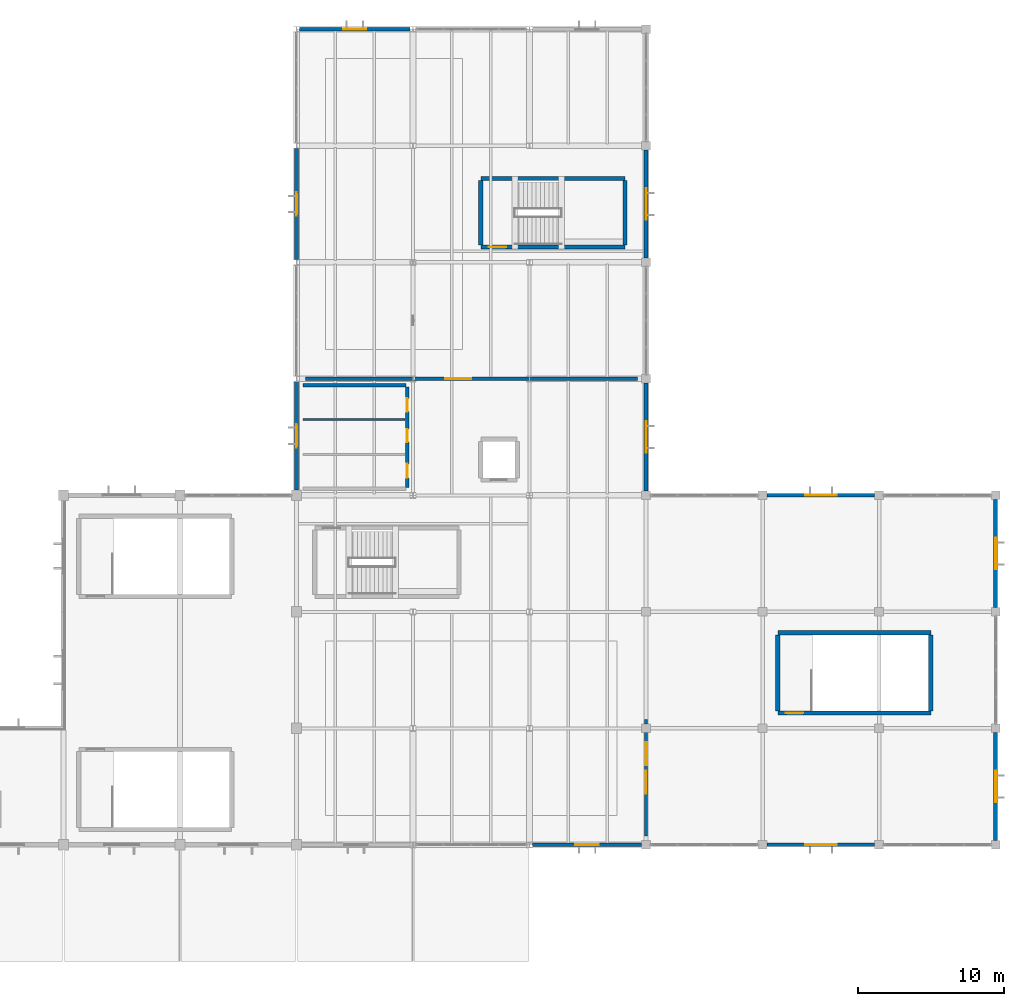
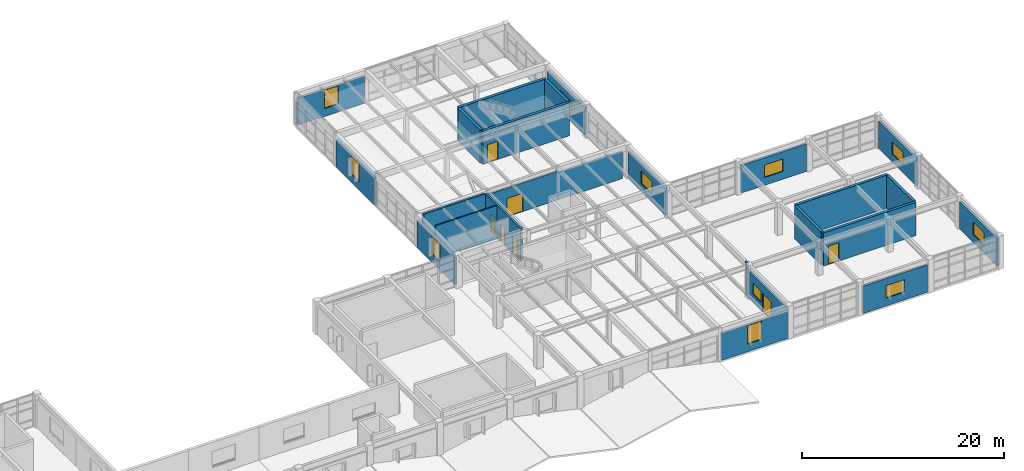
# One storey, part 41 of 48: 26 walls, 11 windows, 7 doors, 18 openings.
"""IFC4 building model written with IfcOpenShell, lengths in metres."""

from ifc_helpers import new_model, si_unit, direction, frame, frame_2d, origin, place, context, subcontext, project, spatial, rectangle, extrude, material, layer, layer_set, type_object, element, fill, save


model = new_model("IFC4")

# Units and contexts
model_context = context("Model", 3, precision=1e-05, world=origin(), true_north=direction((0.0, 1.0)))
body_context = subcontext(model_context, "Body", "Model", "MODEL_VIEW")
ifc_project = project(units=[si_unit("LENGTHUNIT", "METRE"), si_unit("AREAUNIT", "SQUARE_METRE"), si_unit("VOLUMEUNIT", "CUBIC_METRE"), si_unit("PLANEANGLEUNIT", "RADIAN"), si_unit("MASSUNIT", "GRAM", prefix="KILO")], contexts=[model_context])

# Site, building, storey
site_placement = place(None, origin())
site = spatial("IfcSite", under=ifc_project, at=site_placement, CompositionType="ELEMENT")
building_placement = place(site_placement, origin())
building = spatial("IfcBuilding", under=site, at=building_placement, Name="Varnela Railside Interchange", CompositionType="ELEMENT")
storey_placement = place(building_placement, frame((0.0, 0.0, 11.199951171875)))
storey = spatial("IfcBuildingStorey", under=building, at=storey_placement, Name="L02", CompositionType="ELEMENT", Elevation=11.199951171875)

# Wall
ifc_material_1 = material(Name="Gypsum acoustic board")
ifc_layer_1 = layer(ifc_material_1, 0.14990234375)
ifc_layer_set_1 = layer_set([ifc_layer_1], Name="Gypsum acoustic board")
wall_type_1 = type_object("IfcWallType", Name="Acoustic Drywall Partition IW-01", PredefinedType="PARTITIONING", material=ifc_layer_set_1)
wall_1_placement = place(storey_placement, frame((116.449951171875, 67.199951171875, 0.0), z_axis=(0.0, 0.0, 1.0), x_axis=(1.0, 0.0, 0.0)))
element("IfcWall", 1, at=wall_1_placement, inside=storey, type_object=wall_type_1, Name="Acoustic Drywall Partition IW-01 (L02) (WL-0703)", PredefinedType="PARTITIONING", context=body_context, shape_type="SweptSolid", body=[
    extrude(rectangle(XDim=7.0, YDim=0.14990234375, at=frame_2d((3.5, 0.0))), origin(), (0.0, 0.0, 1.0), 4.0),
])

# Wall, openings, door, window
ifc_layer_2 = layer(ifc_material_1, 0.179931640625)
ifc_layer_set_2 = layer_set([ifc_layer_2], Name="Gypsum acoustic board")
wall_type_2 = type_object("IfcWallType", Name="Double-Stud Corridor Wall IW-02", PredefinedType="PARTITIONING", material=ifc_layer_set_2)
wall_2_placement = place(storey_placement, frame((140.0, 38.60009765625, 0.0), z_axis=(0.0, 0.0, 1.0), x_axis=(0.0, 1.0, 0.0)))
wall_2 = element("IfcWall", 2, at=wall_2_placement, inside=storey, type_object=wall_type_2, Name="Double-Stud Corridor Wall IW-02 (L02) (WL-0700)", PredefinedType="PARTITIONING", context=body_context, shape_type="SweptSolid", body=[
    extrude(rectangle(XDim=7.699951171875, YDim=0.199951171875, at=frame_2d((3.85009765625, 0.0))), origin(), (0.0, 0.0, 1.0), 3.31201171875),
])
opening_1_placement = place(wall_2_placement, frame((2.89990234375, 0.0, 0.0)))
opening_1 = element("IfcOpeningElement", 3, at=opening_1_placement, cuts=wall_2, Name="Opening D-231", PredefinedType="OPENING", context=body_context, shape_type="SweptSolid", body=[
    extrude(rectangle(XDim=1.60009765625, YDim=2.199951171875, at=frame_2d((0.800048828125, 1.10009765625))), frame((0.0, 0.10986328125, 0.0), z_axis=(0.0, -1.0, 0.0), x_axis=(1.0, 0.0, 0.0)), (0.0, 0.0, 1.0), 0.219970703125),
])
opening_2_placement = place(wall_2_placement, frame((4.85009765625, 0.0, 0.949951171875)))
opening_2 = element("IfcOpeningElement", 4, at=opening_2_placement, cuts=wall_2, Name="Opening IW-011", PredefinedType="OPENING", context=body_context, shape_type="SweptSolid", body=[
    extrude(rectangle(XDim=1.60009765625, YDim=1.300048828125, at=frame_2d((0.800048828125, 0.64990234375))), frame((0.0, 0.10986328125, 0.0), z_axis=(0.0, -1.0, 0.0), x_axis=(1.0, 0.0, 0.0)), (0.0, 0.0, 1.0), 0.219970703125),
])
ifc_material_2 = material(Name="Glass laminated double", Category="glass")
door_type_1 = type_object("IfcDoorType", Name="DR-DBL-1600", OperationType="DOUBLE_DOOR_SINGLE_SWING", PredefinedType="DOOR", material=ifc_material_2)
door_1_placement = place(opening_1_placement, origin())
door_1 = element("IfcDoor", 5, at=door_1_placement, inside=storey, type_object=door_type_1, Name="Door D-231", OperationType="DOUBLE_DOOR_SINGLE_SWING", OverallHeight=2.199951171875, OverallWidth=1.60009765625, PredefinedType="DOOR", context=body_context, shape_type="SweptSolid", body=[
    extrude(rectangle(XDim=1.60009765625, YDim=2.199951171875, at=frame_2d((0.800048828125, 1.10009765625))), frame((0.0, 0.02490234375, 0.0), z_axis=(0.0, -1.0, 0.0), x_axis=(1.0, 0.0, 0.0)), (0.0, 0.0, 1.0), 0.050048828125),
])
fill(opening_1, door_1)
window_type_1 = type_object("IfcWindowType", Name="Interior Acoustic Vision Window IW-WN1", PartitioningType="SINGLE_PANEL", PredefinedType="WINDOW", material=ifc_material_2)
window_1_placement = place(opening_2_placement, origin())
window_1 = element("IfcWindow", 6, at=window_1_placement, inside=storey, type_object=window_type_1, Name="Window IW-011", OverallHeight=1.300048828125, OverallWidth=1.60009765625, PartitioningType="SINGLE_PANEL", PredefinedType="WINDOW", context=body_context, shape_type="SweptSolid", body=[
    extrude(rectangle(XDim=1.60009765625, YDim=1.300048828125, at=frame_2d((0.800048828125, 0.64990234375))), frame((0.0, 0.030029296875, 0.0), z_axis=(0.0, -1.0, 0.0), x_axis=(1.0, 0.0, 0.0)), (0.0, 0.0, 1.0), 0.06005859375),
])
fill(opening_2, window_1)

# Walls
wall_3_placement = place(storey_placement, frame((140.0, 46.300048828125, 0.0), z_axis=(0.0, 0.0, 1.0), x_axis=(0.0, 1.0, 0.0)))
element("IfcWall", 7, at=wall_3_placement, inside=storey, type_object=wall_type_2, Name="Double-Stud Corridor Wall IW-02 (L02) (WL-0701)", PredefinedType="PARTITIONING", context=body_context, shape_type="SweptSolid", body=[
    extrude(rectangle(XDim=0.300048828125, YDim=0.199951171875, at=frame_2d((0.14990234375, 0.0))), origin(), (0.0, 0.0, 1.0), 4.0),
])
ifc_material_3 = material(Name="Concrete C40", Category="concrete")
ifc_layer_3 = layer(ifc_material_3, 0.22998046875)
ifc_layer_set_3 = layer_set([ifc_layer_3], Name="Concrete C40")
wall_type_3 = type_object("IfcWallType", Name="Fire Compartment Wall EI90 FW-02", PredefinedType="SOLIDWALL", material=ifc_layer_set_3)
wall_4_placement = place(storey_placement, frame((116.60009765625, 70.0, 0.0), z_axis=(0.0, 0.0, 1.0), x_axis=(1.0, 0.0, 0.0)))
element("IfcWall", 8, at=wall_4_placement, inside=storey, type_object=wall_type_3, Name="Fire Compartment Wall EI90 FW-02 (L02) (WL-0693)", PredefinedType="SOLIDWALL", context=body_context, shape_type="SweptSolid", body=[
    extrude(rectangle(XDim=7.39990234375, YDim=0.219970703125, at=frame_2d((3.699951171875, 0.0))), origin(), (0.0, 0.0, 1.0), 3.25),
])

# Wall, opening, door
wall_5_placement = place(storey_placement, frame((124.0, 70.0, 0.0), z_axis=(0.0, 0.0, 1.0), x_axis=(1.0, 0.0, 0.0)))
wall_5 = element("IfcWall", 9, at=wall_5_placement, inside=storey, type_object=wall_type_3, Name="Fire Compartment Wall EI90 FW-02 (L02) (WL-0694)", PredefinedType="SOLIDWALL", context=body_context, shape_type="SweptSolid", body=[
    extrude(rectangle(XDim=8.0, YDim=0.219970703125, at=frame_2d((4.0, 0.0))), origin(), (0.0, 0.0, 1.0), 3.4560546875),
])
opening_3_placement = place(wall_5_placement, frame((2.199951171875, 0.0, 0.0)))
opening_3 = element("IfcOpeningElement", 10, at=opening_3_placement, cuts=wall_5, Name="Opening D-230", PredefinedType="OPENING", context=body_context, shape_type="SweptSolid", body=[
    extrude(rectangle(XDim=1.800048828125, YDim=2.199951171875, at=frame_2d((0.89990234375, 1.10009765625))), frame((0.0, 0.119873046875, 0.0), z_axis=(0.0, -1.0, 0.0), x_axis=(1.0, 0.0, 0.0)), (0.0, 0.0, 1.0), 0.239990234375),
])
ifc_material_4 = material(Name="Steel AR 350 (350 MPa)", Category="steel")
door_type_2 = type_object("IfcDoorType", Name="DR-DBL-1800-FD60", OperationType="DOUBLE_DOOR_SINGLE_SWING", PredefinedType="DOOR", material=ifc_material_4)
door_2_placement = place(opening_3_placement, origin())
door_2 = element("IfcDoor", 11, at=door_2_placement, inside=storey, type_object=door_type_2, Name="Door D-230", OperationType="DOUBLE_DOOR_SINGLE_SWING", OverallHeight=2.199951171875, OverallWidth=1.800048828125, PredefinedType="DOOR", context=body_context, shape_type="SweptSolid", body=[
    extrude(rectangle(XDim=1.800048828125, YDim=2.199951171875, at=frame_2d((0.89990234375, 1.10009765625))), frame((0.0, 0.02490234375, 0.0), z_axis=(0.0, -1.0, 0.0), x_axis=(1.0, 0.0, 0.0)), (0.0, 0.0, 1.0), 0.050048828125),
])
fill(opening_3, door_2)

# Wall
wall_6_placement = place(storey_placement, frame((132.0, 70.0, 0.0), z_axis=(0.0, 0.0, 1.0), x_axis=(1.0, 0.0, 0.0)))
element("IfcWall", 12, at=wall_6_placement, inside=storey, type_object=wall_type_3, Name="Fire Compartment Wall EI90 FW-02 (L02) (WL-0695)", PredefinedType="SOLIDWALL", context=body_context, shape_type="SweptSolid", body=[
    extrude(rectangle(XDim=7.39990234375, YDim=0.219970703125, at=frame_2d((3.699951171875, 0.0))), origin(), (0.0, 0.0, 1.0), 3.25),
])

# Wall, openings, doors
ifc_material_5 = material(Name="Masonry concrete block", Category="masonry")
ifc_layer_4 = layer(ifc_material_5, 0.2099609375)
ifc_layer_set_4 = layer_set([ifc_layer_4], Name="Masonry concrete block")
wall_type_4 = type_object("IfcWallType", Name="Sanitary Plumbing Chase Wall IW-04", PredefinedType="PLUMBINGWALL", material=ifc_layer_set_4)
wall_7_placement = place(storey_placement, frame((123.60009765625, 62.550048828125, 0.0), z_axis=(0.0, 0.0, 1.0), x_axis=(0.0, 1.0, 0.0)))
wall_7 = element("IfcWall", 13, at=wall_7_placement, inside=storey, type_object=wall_type_4, Name="Sanitary Plumbing Chase Wall IW-04 (L02) (WL-0704)", PredefinedType="PLUMBINGWALL", context=body_context, shape_type="SweptSolid", body=[
    extrude(rectangle(XDim=6.89990234375, YDim=0.219970703125, at=frame_2d((3.449951171875, 0.0))), origin(), (0.0, 0.0, 1.0), 4.0),
])
opening_4_placement = place(wall_7_placement, frame((0.64990234375, 0.0, 0.0)))
opening_4 = element("IfcOpeningElement", 14, at=opening_4_placement, cuts=wall_7, Name="Opening D-227", PredefinedType="OPENING", context=body_context, shape_type="SweptSolid", body=[
    extrude(rectangle(XDim=0.949951171875, YDim=2.10009765625, at=frame_2d((0.47509765625, 1.050048828125))), frame((0.0, 0.119873046875, 0.0), z_axis=(0.0, -1.0, 0.0), x_axis=(1.0, 0.0, 0.0)), (0.0, 0.0, 1.0), 0.239990234375),
])
opening_5_placement = place(wall_7_placement, frame((3.10009765625, 0.0, 0.0)))
opening_5 = element("IfcOpeningElement", 15, at=opening_5_placement, cuts=wall_7, Name="Opening D-228", PredefinedType="OPENING", context=body_context, shape_type="SweptSolid", body=[
    extrude(rectangle(XDim=0.89990234375, YDim=2.10009765625, at=frame_2d((0.449951171875, 1.050048828125))), frame((0.0, 0.119873046875, 0.0), z_axis=(0.0, -1.0, 0.0), x_axis=(1.0, 0.0, 0.0)), (0.0, 0.0, 1.0), 0.239990234375),
])
opening_6_placement = place(wall_7_placement, frame((5.199951171875, 0.0, 0.0)))
opening_6 = element("IfcOpeningElement", 16, at=opening_6_placement, cuts=wall_7, Name="Opening D-229", PredefinedType="OPENING", context=body_context, shape_type="SweptSolid", body=[
    extrude(rectangle(XDim=0.89990234375, YDim=2.10009765625, at=frame_2d((0.449951171875, 1.050048828125))), frame((0.0, 0.119873046875, 0.0), z_axis=(0.0, -1.0, 0.0), x_axis=(1.0, 0.0, 0.0)), (0.0, 0.0, 1.0), 0.239990234375),
])
ifc_material_6 = material(Name="Timber solid core", Category="wood")
door_type_3 = type_object("IfcDoorType", Name="DR-SGL-900", OperationType="NOTDEFINED", PredefinedType="DOOR", material=ifc_material_6)
door_3_placement = place(opening_5_placement, origin())
door_3 = element("IfcDoor", 17, at=door_3_placement, inside=storey, type_object=door_type_3, Name="Door D-228", OperationType="SINGLE_SWING_LEFT", OverallHeight=2.10009765625, OverallWidth=0.89990234375, PredefinedType="DOOR", context=body_context, shape_type="SweptSolid", body=[
    extrude(rectangle(XDim=0.89990234375, YDim=2.10009765625, at=frame_2d((0.449951171875, 1.050048828125))), frame((0.0, 0.02490234375, 0.0), z_axis=(0.0, -1.0, 0.0), x_axis=(1.0, 0.0, 0.0)), (0.0, 0.0, 1.0), 0.050048828125),
])
fill(opening_5, door_3)
door_4_placement = place(opening_6_placement, origin())
door_4 = element("IfcDoor", 18, at=door_4_placement, inside=storey, type_object=door_type_3, Name="Door D-229", OperationType="SINGLE_SWING_RIGHT", OverallHeight=2.10009765625, OverallWidth=0.89990234375, PredefinedType="DOOR", context=body_context, shape_type="SweptSolid", body=[
    extrude(rectangle(XDim=0.89990234375, YDim=2.10009765625, at=frame_2d((0.449951171875, 1.050048828125))), frame((0.0, 0.02490234375, 0.0), z_axis=(0.0, -1.0, 0.0), x_axis=(1.0, 0.0, 0.0)), (0.0, 0.0, 1.0), 0.050048828125),
])
fill(opening_6, door_4)
door_type_4 = type_object("IfcDoorType", Name="DR-SGL-950-ACC", OperationType="NOTDEFINED", PredefinedType="DOOR", material=ifc_material_6)
door_5_placement = place(opening_4_placement, origin())
door_5 = element("IfcDoor", 19, at=door_5_placement, inside=storey, type_object=door_type_4, Name="Door D-227", OperationType="SINGLE_SWING_RIGHT", OverallHeight=2.10009765625, OverallWidth=0.949951171875, PredefinedType="DOOR", context=body_context, shape_type="SweptSolid", body=[
    extrude(rectangle(XDim=0.949951171875, YDim=2.10009765625, at=frame_2d((0.47509765625, 1.050048828125))), frame((0.0, 0.02490234375, 0.0), z_axis=(0.0, -1.0, 0.0), x_axis=(1.0, 0.0, 0.0)), (0.0, 0.0, 1.0), 0.050048828125),
])
fill(opening_4, door_5)

# Walls
wall_8_placement = place(storey_placement, frame((116.449951171875, 69.550048828125, 0.0), z_axis=(0.0, 0.0, 1.0), x_axis=(1.0, 0.0, 0.0)))
element("IfcWall", 20, at=wall_8_placement, inside=storey, type_object=wall_type_4, Name="Sanitary Plumbing Chase Wall IW-04 (L02) (WL-0705)", PredefinedType="PLUMBINGWALL", context=body_context, shape_type="SweptSolid", body=[
    extrude(rectangle(XDim=7.050048828125, YDim=0.219970703125, at=frame_2d((3.52490234375, 0.0))), origin(), (0.0, 0.0, 1.0), 4.0),
])
ifc_material_7 = material(Name="Concrete C50", Category="concrete")
ifc_layer_5 = layer(ifc_material_7, 0.300048828125)
ifc_layer_set_5 = layer_set([ifc_layer_5], Name="Concrete C50")
wall_type_5 = type_object("IfcWallType", Name="Stair & Lift Shaft Wall SW-03", PredefinedType="SHEAR", material=ifc_layer_set_5)
wall_9_placement = place(storey_placement, frame((128.64990234375, 83.75, 0.0), z_axis=(0.0, 0.0, 1.0), x_axis=(1.0, 0.0, 0.0)))
element("IfcWall", 21, at=wall_9_placement, inside=storey, type_object=wall_type_5, Name="Stair & Lift Shaft Wall SW-03 (L02) (WL-0747)", PredefinedType="SHEAR", context=body_context, shape_type="SweptSolid", body=[
    extrude(rectangle(XDim=9.900146484375, YDim=0.300048828125, at=frame_2d((4.9501953125, 0.0))), origin(), (0.0, 0.0, 1.0), 4.0),
])

# Wall, opening, door
wall_10_placement = place(storey_placement, frame((128.64990234375, 79.050048828125, 0.0), z_axis=(0.0, 0.0, 1.0), x_axis=(1.0, 0.0, 0.0)))
wall_10 = element("IfcWall", 22, at=wall_10_placement, inside=storey, type_object=wall_type_5, Name="Stair & Lift Shaft Wall SW-03 (L02) (WL-0748)", PredefinedType="SHEAR", context=body_context, shape_type="SweptSolid", body=[
    extrude(rectangle(XDim=9.900146484375, YDim=0.300048828125, at=frame_2d((4.9501953125, 0.0))), origin(), (0.0, 0.0, 1.0), 4.0),
])
opening_7_placement = place(wall_10_placement, frame((0.550048828125, 0.0, 0.0)))
opening_7 = element("IfcOpeningElement", 23, at=opening_7_placement, cuts=wall_10, Name="Opening D-217", PredefinedType="OPENING", context=body_context, shape_type="SweptSolid", body=[
    extrude(rectangle(XDim=1.199951171875, YDim=2.199951171875, at=frame_2d((0.60009765625, 1.10009765625))), frame((0.0, 0.159912109375, 0.0), z_axis=(0.0, -1.0, 0.0), x_axis=(1.0, 0.0, 0.0)), (0.0, 0.0, 1.0), 0.320068359375),
])
door_type_5 = type_object("IfcDoorType", Name="DR-SGL-1200-FD90", OperationType="NOTDEFINED", PredefinedType="DOOR", material=ifc_material_4)
door_6_placement = place(opening_7_placement, origin())
door_6 = element("IfcDoor", 24, at=door_6_placement, inside=storey, type_object=door_type_5, Name="Door D-217", OperationType="SINGLE_SWING_RIGHT", OverallHeight=2.199951171875, OverallWidth=1.199951171875, PredefinedType="DOOR", context=body_context, shape_type="SweptSolid", body=[
    extrude(rectangle(XDim=1.199951171875, YDim=2.199951171875, at=frame_2d((0.60009765625, 1.10009765625))), frame((0.0, 0.02490234375, 0.0), z_axis=(0.0, -1.0, 0.0), x_axis=(1.0, 0.0, 0.0)), (0.0, 0.0, 1.0), 0.050048828125),
])
fill(opening_7, door_6)

# Walls
for number, where, z_axis, x_axis, name in (
    (25, (128.64990234375, 79.199951171875, 0.0), (0.0, 0.0, 1.0), (0.0, 1.0, 0.0), "Stair & Lift Shaft Wall SW-03 (L02) (WL-0749)"),
    (26, (138.550048828125, 79.199951171875, 0.0), (0.0, 0.0, 1.0), (0.0, 1.0, 0.0), "Stair & Lift Shaft Wall SW-03 (L02) (WL-0746)"),
):
    element("IfcWall", number, at=place(storey_placement, frame(where, z_axis=z_axis, x_axis=x_axis)), inside=storey, type_object=wall_type_5, Name=name, PredefinedType="SHEAR", context=body_context, shape_type="SweptSolid", body=[
        extrude(rectangle(XDim=4.400146484375, YDim=0.300048828125, at=frame_2d((2.2001953125, 0.0))), origin(), (0.0, 0.0, 1.0), 4.0),
    ])
wall_11_placement = place(storey_placement, frame((149.050048828125, 52.550048828125, 0.0), z_axis=(0.0, 0.0, 1.0), x_axis=(1.0, 0.0, 0.0)))
element("IfcWall", 27, at=wall_11_placement, inside=storey, type_object=wall_type_5, Name="Stair & Lift Shaft Wall SW-03 (L02) (WL-0751)", PredefinedType="SHEAR", context=body_context, shape_type="SweptSolid", body=[
    extrude(rectangle(XDim=10.5, YDim=0.300048828125, at=frame_2d((5.25, 0.0))), origin(), (0.0, 0.0, 1.0), 4.0),
])

# Wall, opening, door
wall_12_placement = place(storey_placement, frame((149.050048828125, 47.050048828125, 0.0), z_axis=(0.0, 0.0, 1.0), x_axis=(1.0, 0.0, 0.0)))
wall_12 = element("IfcWall", 28, at=wall_12_placement, inside=storey, type_object=wall_type_5, Name="Stair & Lift Shaft Wall SW-03 (L02) (WL-0752)", PredefinedType="SHEAR", context=body_context, shape_type="SweptSolid", body=[
    extrude(rectangle(XDim=10.5, YDim=0.300048828125, at=frame_2d((5.25, 0.0))), origin(), (0.0, 0.0, 1.0), 4.0),
])
opening_8_placement = place(wall_12_placement, frame((0.550048828125, 0.0, 0.0)))
opening_8 = element("IfcOpeningElement", 29, at=opening_8_placement, cuts=wall_12, Name="Opening D-218", PredefinedType="OPENING", context=body_context, shape_type="SweptSolid", body=[
    extrude(rectangle(XDim=1.199951171875, YDim=2.199951171875, at=frame_2d((0.60009765625, 1.10009765625))), frame((0.0, 0.159912109375, 0.0), z_axis=(0.0, -1.0, 0.0), x_axis=(1.0, 0.0, 0.0)), (0.0, 0.0, 1.0), 0.320068359375),
])
door_7_placement = place(opening_8_placement, origin())
door_7 = element("IfcDoor", 30, at=door_7_placement, inside=storey, type_object=door_type_5, Name="Door D-218", OperationType="SINGLE_SWING_LEFT", OverallHeight=2.199951171875, OverallWidth=1.199951171875, PredefinedType="DOOR", context=body_context, shape_type="SweptSolid", body=[
    extrude(rectangle(XDim=1.199951171875, YDim=2.199951171875, at=frame_2d((0.60009765625, 1.10009765625))), frame((0.0, 0.02490234375, 0.0), z_axis=(0.0, -1.0, 0.0), x_axis=(1.0, 0.0, 0.0)), (0.0, 0.0, 1.0), 0.050048828125),
])
fill(opening_8, door_7)

# Walls
for number, where, z_axis, x_axis, name in (
    (31, (149.050048828125, 47.199951171875, 0.0), (0.0, 0.0, 1.0), (0.0, 1.0, 0.0), "Stair & Lift Shaft Wall SW-03 (L02) (WL-0753)"),
    (32, (159.550048828125, 47.199951171875, 0.0), (0.0, 0.0, 1.0), (0.0, 1.0, 0.0), "Stair & Lift Shaft Wall SW-03 (L02) (WL-0750)"),
):
    element("IfcWall", number, at=place(storey_placement, frame(where, z_axis=z_axis, x_axis=x_axis)), inside=storey, type_object=wall_type_5, Name=name, PredefinedType="SHEAR", context=body_context, shape_type="SweptSolid", body=[
        extrude(rectangle(XDim=5.199951171875, YDim=0.300048828125, at=frame_2d((2.60009765625, 0.0))), origin(), (0.0, 0.0, 1.0), 4.0),
    ])

# Wall, opening, window
ifc_material_8 = material(Name="Concrete C40 precast", Category="concrete")
ifc_layer_6 = layer(ifc_material_8, 0.260009765625)
ifc_layer_set_6 = layer_set([ifc_layer_6], Name="Concrete C40 precast")
wall_type_6 = type_object("IfcWallType", Name="Terracotta Precast Study Facade Wall EW-03", PredefinedType="STANDARD", material=ifc_layer_set_6)
wall_13_placement = place(storey_placement, frame((116.0, 62.35009765625, 0.0), z_axis=(0.0, 0.0, 1.0), x_axis=(0.0, 1.0, 0.0)))
wall_13 = element("IfcWall", 33, at=wall_13_placement, inside=storey, type_object=wall_type_6, Name="Terracotta Precast Study Facade Wall EW-03 (L02) (WL-0667)", PredefinedType="STANDARD", context=body_context, shape_type="SweptSolid", body=[
    extrude(rectangle(XDim=7.46240234375, YDim=0.260009765625, at=frame_2d((3.731201171875, 0.0))), origin(), (0.0, 0.0, 1.0), 3.25),
])
opening_9_placement = place(wall_13_placement, frame((2.93115234375, 0.0, 0.949951171875)))
opening_9 = element("IfcOpeningElement", 34, at=opening_9_placement, cuts=wall_13, Name="Opening W-075", PredefinedType="OPENING", context=body_context, shape_type="SweptSolid", body=[
    extrude(rectangle(XDim=1.60009765625, YDim=2.199951171875, at=frame_2d((0.800048828125, 1.10009765625))), frame((0.0, 0.139892578125, 0.0), z_axis=(0.0, -1.0, 0.0), x_axis=(1.0, 0.0, 0.0)), (0.0, 0.0, 1.0), 0.280029296875),
])
window_type_2 = type_object("IfcWindowType", Name="Study Pavilion Tall Window WN-03", PartitioningType="SINGLE_PANEL", PredefinedType="WINDOW", material=ifc_material_2)
window_2_placement = place(opening_9_placement, origin())
window_2 = element("IfcWindow", 35, at=window_2_placement, inside=storey, type_object=window_type_2, Name="Window W-075", OverallHeight=2.199951171875, OverallWidth=1.60009765625, PartitioningType="SINGLE_PANEL", PredefinedType="WINDOW", context=body_context, shape_type="SweptSolid", body=[
    extrude(rectangle(XDim=1.60009765625, YDim=2.199951171875, at=frame_2d((0.800048828125, 1.10009765625))), frame((0.0, 0.030029296875, 0.0), z_axis=(0.0, -1.0, 0.0), x_axis=(1.0, 0.0, 0.0)), (0.0, 0.0, 1.0), 0.06005859375),
])
fill(opening_9, window_2)

wall_14_placement = place(storey_placement, frame((116.0, 78.1875, 0.0), z_axis=(0.0, 0.0, 1.0), x_axis=(0.0, 1.0, 0.0)))
wall_14 = element("IfcWall", 36, at=wall_14_placement, inside=storey, type_object=wall_type_6, Name="Terracotta Precast Study Facade Wall EW-03 (L02) (WL-0668)", PredefinedType="STANDARD", context=body_context, shape_type="SweptSolid", body=[
    extrude(rectangle(XDim=7.625, YDim=0.260009765625, at=frame_2d((3.8125, 0.0))), origin(), (0.0, 0.0, 1.0), 3.25),
])
opening_10_placement = place(wall_14_placement, frame((3.012451171875, 0.0, 0.949951171875)))
opening_10 = element("IfcOpeningElement", 37, at=opening_10_placement, cuts=wall_14, Name="Opening W-076", PredefinedType="OPENING", context=body_context, shape_type="SweptSolid", body=[
    extrude(rectangle(XDim=1.60009765625, YDim=2.199951171875, at=frame_2d((0.800048828125, 1.10009765625))), frame((0.0, 0.139892578125, 0.0), z_axis=(0.0, -1.0, 0.0), x_axis=(1.0, 0.0, 0.0)), (0.0, 0.0, 1.0), 0.280029296875),
])
window_3_placement = place(opening_10_placement, origin())
window_3 = element("IfcWindow", 38, at=window_3_placement, inside=storey, type_object=window_type_2, Name="Window W-076", OverallHeight=2.199951171875, OverallWidth=1.60009765625, PartitioningType="SINGLE_PANEL", PredefinedType="WINDOW", context=body_context, shape_type="SweptSolid", body=[
    extrude(rectangle(XDim=1.60009765625, YDim=2.199951171875, at=frame_2d((0.800048828125, 1.10009765625))), frame((0.0, 0.030029296875, 0.0), z_axis=(0.0, -1.0, 0.0), x_axis=(1.0, 0.0, 0.0)), (0.0, 0.0, 1.0), 0.06005859375),
])
fill(opening_10, window_3)

wall_15_placement = place(storey_placement, frame((116.197021484375, 94.0, 0.0), z_axis=(0.0, 0.0, 1.0), x_axis=(1.0, 0.0, 0.0)))
wall_15 = element("IfcWall", 39, at=wall_15_placement, inside=storey, type_object=wall_type_6, Name="Terracotta Precast Study Facade Wall EW-03 (L02) (WL-0670)", PredefinedType="STANDARD", context=body_context, shape_type="SweptSolid", body=[
    extrude(rectangle(XDim=7.60595703125, YDim=0.260009765625, at=frame_2d((3.802978515625, 0.0))), origin(), (0.0, 0.0, 1.0), 3.25),
])
opening_11_placement = place(wall_15_placement, frame((3.0029296875, 0.0, 0.949951171875)))
opening_11 = element("IfcOpeningElement", 40, at=opening_11_placement, cuts=wall_15, Name="Opening W-077", PredefinedType="OPENING", context=body_context, shape_type="SweptSolid", body=[
    extrude(rectangle(XDim=1.60009765625, YDim=2.199951171875, at=frame_2d((0.800048828125, 1.10009765625))), frame((0.0, 0.139892578125, 0.0), z_axis=(0.0, -1.0, 0.0), x_axis=(1.0, 0.0, 0.0)), (0.0, 0.0, 1.0), 0.280029296875),
])
window_4_placement = place(opening_11_placement, origin())
window_4 = element("IfcWindow", 41, at=window_4_placement, inside=storey, type_object=window_type_2, Name="Window W-077", OverallHeight=2.199951171875, OverallWidth=1.60009765625, PartitioningType="SINGLE_PANEL", PredefinedType="WINDOW", context=body_context, shape_type="SweptSolid", body=[
    extrude(rectangle(XDim=1.60009765625, YDim=2.199951171875, at=frame_2d((0.800048828125, 1.10009765625))), frame((0.0, 0.030029296875, 0.0), z_axis=(0.0, -1.0, 0.0), x_axis=(1.0, 0.0, 0.0)), (0.0, 0.0, 1.0), 0.06005859375),
])
fill(opening_11, window_4)

wall_16_placement = place(storey_placement, frame((140.0, 85.699951171875, 0.0), z_axis=(0.0, 0.0, 1.0), x_axis=(0.0, -1.0, 0.0)))
wall_16 = element("IfcWall", 42, at=wall_16_placement, inside=storey, type_object=wall_type_6, Name="Terracotta Precast Study Facade Wall EW-03 (L02) (WL-0672)", PredefinedType="STANDARD", context=body_context, shape_type="SweptSolid", body=[
    extrude(rectangle(XDim=7.39990234375, YDim=0.260009765625, at=frame_2d((3.699951171875, 0.0))), origin(), (0.0, 0.0, 1.0), 3.25),
])
opening_12_placement = place(wall_16_placement, frame((2.625, 0.0, 0.949951171875)))
opening_12 = element("IfcOpeningElement", 43, at=opening_12_placement, cuts=wall_16, Name="Opening W-079", PredefinedType="OPENING", context=body_context, shape_type="SweptSolid", body=[
    extrude(rectangle(XDim=2.14990234375, YDim=1.5, at=frame_2d((1.074951171875, 0.75))), frame((0.0, 0.139892578125, 0.0), z_axis=(0.0, -1.0, 0.0), x_axis=(1.0, 0.0, 0.0)), (0.0, 0.0, 1.0), 0.280029296875),
])
window_type_3 = type_object("IfcWindowType", Name="Cycle Workshop Louvre Win WN-22", PartitioningType="SINGLE_PANEL", PredefinedType="WINDOW", material=ifc_material_2)
window_5_placement = place(opening_12_placement, origin())
window_5 = element("IfcWindow", 44, at=window_5_placement, inside=storey, type_object=window_type_3, Name="Window W-079", OverallHeight=1.5, OverallWidth=2.14990234375, PartitioningType="SINGLE_PANEL", PredefinedType="WINDOW", context=body_context, shape_type="SweptSolid", body=[
    extrude(rectangle(XDim=2.14990234375, YDim=1.5, at=frame_2d((1.074951171875, 0.75))), frame((0.0, 0.030029296875, 0.0), z_axis=(0.0, -1.0, 0.0), x_axis=(1.0, 0.0, 0.0)), (0.0, 0.0, 1.0), 0.06005859375),
])
fill(opening_12, window_5)

wall_17_placement = place(storey_placement, frame((140.0, 69.699951171875, 0.0), z_axis=(0.0, 0.0, 1.0), x_axis=(0.0, -1.0, 0.0)))
wall_17 = element("IfcWall", 45, at=wall_17_placement, inside=storey, type_object=wall_type_6, Name="Terracotta Precast Study Facade Wall EW-03 (L02) (WL-0673)", PredefinedType="STANDARD", context=body_context, shape_type="SweptSolid", body=[
    extrude(rectangle(XDim=7.39990234375, YDim=0.260009765625, at=frame_2d((3.699951171875, 0.0))), origin(), (0.0, 0.0, 1.0), 3.25),
])
opening_13_placement = place(wall_17_placement, frame((2.625, 0.0, 0.949951171875)))
opening_13 = element("IfcOpeningElement", 46, at=opening_13_placement, cuts=wall_17, Name="Opening W-080", PredefinedType="OPENING", context=body_context, shape_type="SweptSolid", body=[
    extrude(rectangle(XDim=2.14990234375, YDim=1.5, at=frame_2d((1.074951171875, 0.75))), frame((0.0, 0.139892578125, 0.0), z_axis=(0.0, -1.0, 0.0), x_axis=(1.0, 0.0, 0.0)), (0.0, 0.0, 1.0), 0.280029296875),
])
window_6_placement = place(opening_13_placement, origin())
window_6 = element("IfcWindow", 47, at=window_6_placement, inside=storey, type_object=window_type_3, Name="Window W-080", OverallHeight=1.5, OverallWidth=2.14990234375, PartitioningType="SINGLE_PANEL", PredefinedType="WINDOW", context=body_context, shape_type="SweptSolid", body=[
    extrude(rectangle(XDim=2.14990234375, YDim=1.5, at=frame_2d((1.074951171875, 0.75))), frame((0.0, 0.030029296875, 0.0), z_axis=(0.0, -1.0, 0.0), x_axis=(1.0, 0.0, 0.0)), (0.0, 0.0, 1.0), 0.06005859375),
])
fill(opening_13, window_6)

wall_18_placement = place(storey_placement, frame((148.300048828125, 62.0, 0.0), z_axis=(0.0, 0.0, 1.0), x_axis=(1.0, 0.0, 0.0)))
wall_18 = element("IfcWall", 48, at=wall_18_placement, inside=storey, type_object=wall_type_6, Name="Terracotta Precast Study Facade Wall EW-03 (L02) (WL-0674)", PredefinedType="STANDARD", context=body_context, shape_type="SweptSolid", body=[
    extrude(rectangle(XDim=7.39990234375, YDim=0.260009765625, at=frame_2d((3.699951171875, 0.0))), origin(), (0.0, 0.0, 1.0), 3.31201171875),
])
opening_14_placement = place(wall_18_placement, frame((2.625, 0.0, 0.949951171875)))
opening_14 = element("IfcOpeningElement", 49, at=opening_14_placement, cuts=wall_18, Name="Opening W-081", PredefinedType="OPENING", context=body_context, shape_type="SweptSolid", body=[
    extrude(rectangle(XDim=2.14990234375, YDim=1.5, at=frame_2d((1.074951171875, 0.75))), frame((0.0, 0.139892578125, 0.0), z_axis=(0.0, -1.0, 0.0), x_axis=(1.0, 0.0, 0.0)), (0.0, 0.0, 1.0), 0.280029296875),
])
window_7_placement = place(opening_14_placement, origin())
window_7 = element("IfcWindow", 50, at=window_7_placement, inside=storey, type_object=window_type_3, Name="Window W-081", OverallHeight=1.5, OverallWidth=2.14990234375, PartitioningType="SINGLE_PANEL", PredefinedType="WINDOW", context=body_context, shape_type="SweptSolid", body=[
    extrude(rectangle(XDim=2.14990234375, YDim=1.5, at=frame_2d((1.074951171875, 0.75))), frame((0.0, 0.030029296875, 0.0), z_axis=(0.0, -1.0, 0.0), x_axis=(1.0, 0.0, 0.0)), (0.0, 0.0, 1.0), 0.06005859375),
])
fill(opening_14, window_7)

wall_19_placement = place(storey_placement, frame((164.0, 61.699951171875, 0.0), z_axis=(0.0, 0.0, 1.0), x_axis=(0.0, -1.0, 0.0)))
wall_19 = element("IfcWall", 51, at=wall_19_placement, inside=storey, type_object=wall_type_6, Name="Terracotta Precast Study Facade Wall EW-03 (L02) (WL-0675)", PredefinedType="STANDARD", context=body_context, shape_type="SweptSolid", body=[
    extrude(rectangle(XDim=7.39990234375, YDim=0.260009765625, at=frame_2d((3.699951171875, 0.0))), origin(), (0.0, 0.0, 1.0), 3.31201171875),
])
opening_15_placement = place(wall_19_placement, frame((2.625, 0.0, 0.949951171875)))
opening_15 = element("IfcOpeningElement", 52, at=opening_15_placement, cuts=wall_19, Name="Opening W-082", PredefinedType="OPENING", context=body_context, shape_type="SweptSolid", body=[
    extrude(rectangle(XDim=2.14990234375, YDim=1.5, at=frame_2d((1.074951171875, 0.75))), frame((0.0, 0.139892578125, 0.0), z_axis=(0.0, -1.0, 0.0), x_axis=(1.0, 0.0, 0.0)), (0.0, 0.0, 1.0), 0.280029296875),
])
window_8_placement = place(opening_15_placement, origin())
window_8 = element("IfcWindow", 53, at=window_8_placement, inside=storey, type_object=window_type_3, Name="Window W-082", OverallHeight=1.5, OverallWidth=2.14990234375, PartitioningType="SINGLE_PANEL", PredefinedType="WINDOW", context=body_context, shape_type="SweptSolid", body=[
    extrude(rectangle(XDim=2.14990234375, YDim=1.5, at=frame_2d((1.074951171875, 0.75))), frame((0.0, 0.030029296875, 0.0), z_axis=(0.0, -1.0, 0.0), x_axis=(1.0, 0.0, 0.0)), (0.0, 0.0, 1.0), 0.06005859375),
])
fill(opening_15, window_8)

wall_20_placement = place(storey_placement, frame((164.0, 45.699951171875, 0.0), z_axis=(0.0, 0.0, 1.0), x_axis=(0.0, -1.0, 0.0)))
wall_20 = element("IfcWall", 54, at=wall_20_placement, inside=storey, type_object=wall_type_6, Name="Terracotta Precast Study Facade Wall EW-03 (L02) (WL-0676)", PredefinedType="STANDARD", context=body_context, shape_type="SweptSolid", body=[
    extrude(rectangle(XDim=7.39990234375, YDim=0.260009765625, at=frame_2d((3.699951171875, 0.0))), origin(), (0.0, 0.0, 1.0), 3.31201171875),
])
opening_16_placement = place(wall_20_placement, frame((2.625, 0.0, 0.949951171875)))
opening_16 = element("IfcOpeningElement", 55, at=opening_16_placement, cuts=wall_20, Name="Opening W-083", PredefinedType="OPENING", context=body_context, shape_type="SweptSolid", body=[
    extrude(rectangle(XDim=2.14990234375, YDim=1.5, at=frame_2d((1.074951171875, 0.75))), frame((0.0, 0.139892578125, 0.0), z_axis=(0.0, -1.0, 0.0), x_axis=(1.0, 0.0, 0.0)), (0.0, 0.0, 1.0), 0.280029296875),
])
window_9_placement = place(opening_16_placement, origin())
window_9 = element("IfcWindow", 56, at=window_9_placement, inside=storey, type_object=window_type_3, Name="Window W-083", OverallHeight=1.5, OverallWidth=2.14990234375, PartitioningType="SINGLE_PANEL", PredefinedType="WINDOW", context=body_context, shape_type="SweptSolid", body=[
    extrude(rectangle(XDim=2.14990234375, YDim=1.5, at=frame_2d((1.074951171875, 0.75))), frame((0.0, 0.030029296875, 0.0), z_axis=(0.0, -1.0, 0.0), x_axis=(1.0, 0.0, 0.0)), (0.0, 0.0, 1.0), 0.06005859375),
])
fill(opening_16, window_9)

wall_21_placement = place(storey_placement, frame((155.699951171875, 38.0, 0.0), z_axis=(0.0, 0.0, 1.0), x_axis=(-1.0, 0.0, 0.0)))
wall_21 = element("IfcWall", 57, at=wall_21_placement, inside=storey, type_object=wall_type_6, Name="Terracotta Precast Study Facade Wall EW-03 (L02) (WL-0677)", PredefinedType="STANDARD", context=body_context, shape_type="SweptSolid", body=[
    extrude(rectangle(XDim=7.39990234375, YDim=0.260009765625, at=frame_2d((3.699951171875, 0.0))), origin(), (0.0, 0.0, 1.0), 3.31201171875),
])
opening_17_placement = place(wall_21_placement, frame((2.625, 0.0, 0.949951171875)))
opening_17 = element("IfcOpeningElement", 58, at=opening_17_placement, cuts=wall_21, Name="Opening W-084", PredefinedType="OPENING", context=body_context, shape_type="SweptSolid", body=[
    extrude(rectangle(XDim=2.14990234375, YDim=1.5, at=frame_2d((1.074951171875, 0.75))), frame((0.0, 0.139892578125, 0.0), z_axis=(0.0, -1.0, 0.0), x_axis=(1.0, 0.0, 0.0)), (0.0, 0.0, 1.0), 0.280029296875),
])
window_10_placement = place(opening_17_placement, origin())
window_10 = element("IfcWindow", 59, at=window_10_placement, inside=storey, type_object=window_type_3, Name="Window W-084", OverallHeight=1.5, OverallWidth=2.14990234375, PartitioningType="SINGLE_PANEL", PredefinedType="WINDOW", context=body_context, shape_type="SweptSolid", body=[
    extrude(rectangle(XDim=2.14990234375, YDim=1.5, at=frame_2d((1.074951171875, 0.75))), frame((0.0, 0.030029296875, 0.0), z_axis=(0.0, -1.0, 0.0), x_axis=(1.0, 0.0, 0.0)), (0.0, 0.0, 1.0), 0.06005859375),
])
fill(opening_17, window_10)

wall_22_placement = place(storey_placement, frame((139.699951171875, 38.0, 0.0), z_axis=(0.0, 0.0, 1.0), x_axis=(-1.0, 0.0, 0.0)))
wall_22 = element("IfcWall", 60, at=wall_22_placement, inside=storey, type_object=wall_type_6, Name="Terracotta Precast Study Facade Wall EW-03 (L02) (WL-0678)", PredefinedType="STANDARD", context=body_context, shape_type="SweptSolid", body=[
    extrude(rectangle(XDim=7.5029296875, YDim=0.260009765625, at=frame_2d((3.75146484375, 0.0))), origin(), (0.0, 0.0, 1.0), 3.25),
])
opening_18_placement = place(wall_22_placement, frame((2.951416015625, 0.0, 0.949951171875)))
opening_18 = element("IfcOpeningElement", 61, at=opening_18_placement, cuts=wall_22, Name="Opening W-085", PredefinedType="OPENING", context=body_context, shape_type="SweptSolid", body=[
    extrude(rectangle(XDim=1.60009765625, YDim=2.199951171875, at=frame_2d((0.800048828125, 1.10009765625))), frame((0.0, 0.139892578125, 0.0), z_axis=(0.0, -1.0, 0.0), x_axis=(1.0, 0.0, 0.0)), (0.0, 0.0, 1.0), 0.280029296875),
])
window_11_placement = place(opening_18_placement, origin())
window_11 = element("IfcWindow", 62, at=window_11_placement, inside=storey, type_object=window_type_2, Name="Window W-085", OverallHeight=2.199951171875, OverallWidth=1.60009765625, PartitioningType="SINGLE_PANEL", PredefinedType="WINDOW", context=body_context, shape_type="SweptSolid", body=[
    extrude(rectangle(XDim=1.60009765625, YDim=2.199951171875, at=frame_2d((0.800048828125, 1.10009765625))), frame((0.0, 0.030029296875, 0.0), z_axis=(0.0, -1.0, 0.0), x_axis=(1.0, 0.0, 0.0)), (0.0, 0.0, 1.0), 0.06005859375),
])
fill(opening_18, window_11)

save(model, "model.ifc")
